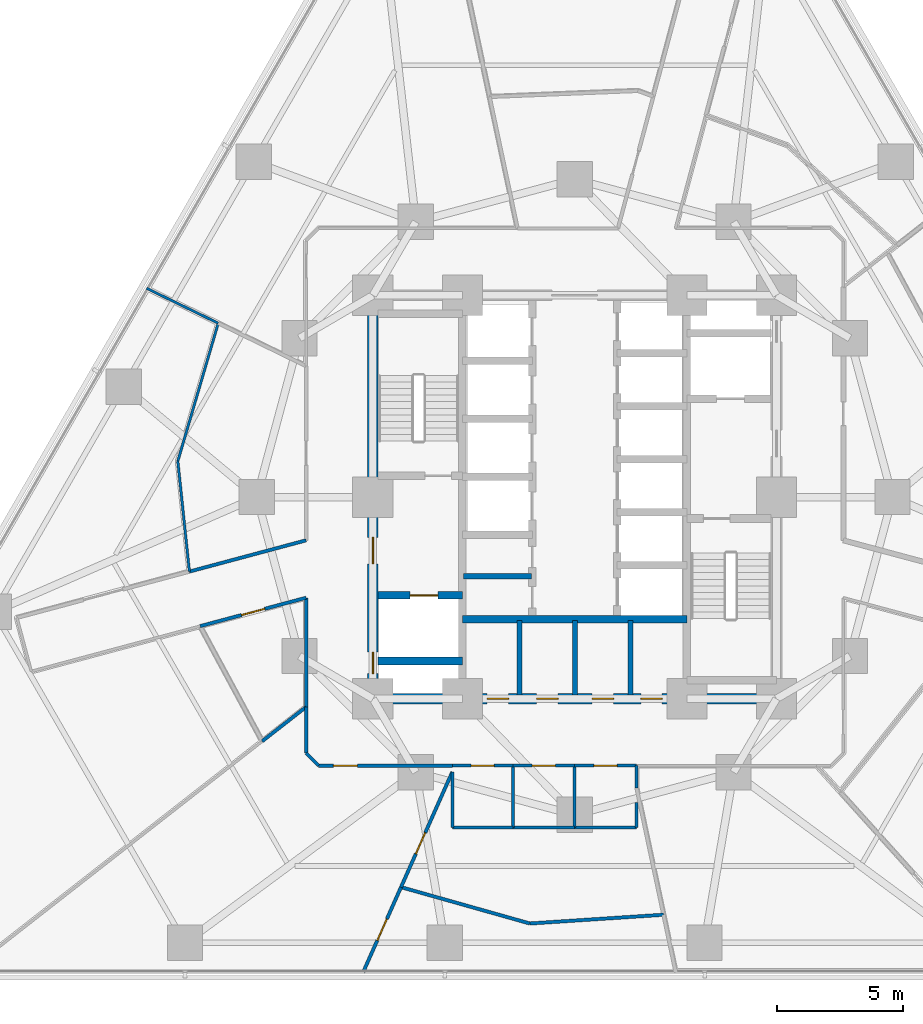
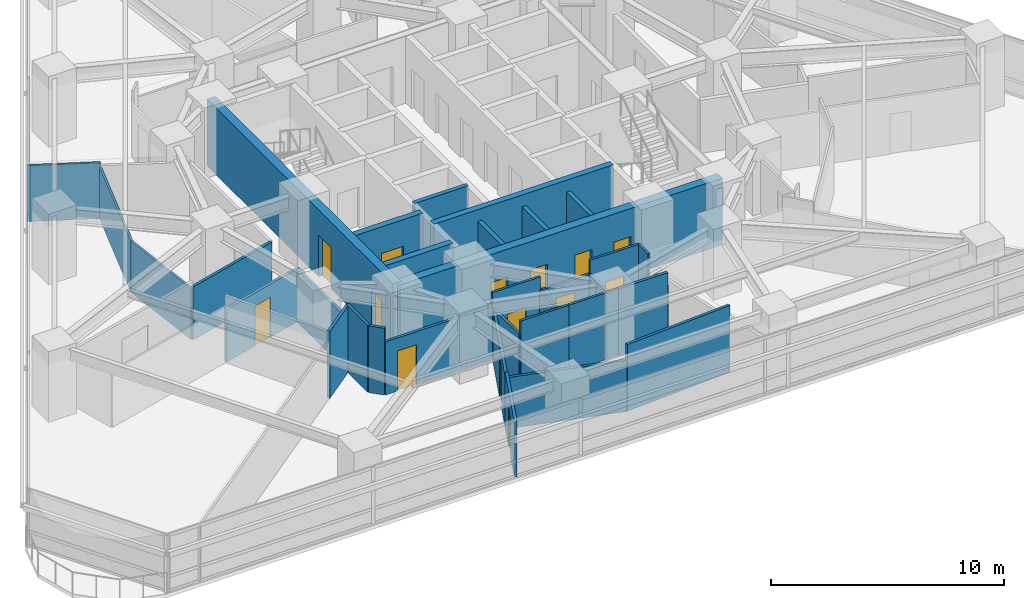
# One storey, part 8 of 15: 34 walls, 14 doors, 14 openings.
"""IFC4 building model written with IfcOpenShell, lengths in metres."""

from ifc_helpers import new_model, si_unit, direction, frame, frame_2d, origin, place, context, subcontext, project, spatial, rectangle, extrude, material, layer, layer_set, type_object, element, fill, save


model = new_model("IFC4")

# Units and contexts
model_context = context("Model", 3, precision=1e-05, world=origin(), true_north=direction((0.0, 1.0)))
body_context = subcontext(model_context, "Body", "Model", "MODEL_VIEW")
ifc_project = project(units=[si_unit("LENGTHUNIT", "METRE"), si_unit("AREAUNIT", "SQUARE_METRE"), si_unit("VOLUMEUNIT", "CUBIC_METRE"), si_unit("PLANEANGLEUNIT", "RADIAN"), si_unit("MASSUNIT", "GRAM", prefix="KILO")], contexts=[model_context])

# Site, building, storey
site_placement = place(None, origin())
site = spatial("IfcSite", under=ifc_project, at=site_placement, CompositionType="ELEMENT")
building_placement = place(site_placement, origin())
building = spatial("IfcBuilding", under=site, at=building_placement, Name="Terralouvre Media Tower", CompositionType="ELEMENT")
storey_placement = place(building_placement, frame((0.0, 0.0, 48.199951171875)))
storey = spatial("IfcBuildingStorey", under=building, at=storey_placement, Name="L11", CompositionType="ELEMENT", Elevation=48.199951171875)

# Wall, opening, door
ifc_material_1 = material(Name="Concrete C50/60", Category="concrete")
ifc_layer_1 = layer(ifc_material_1, 0.300048828125, Name="Core Internal Shaft Wall CW-300")
ifc_layer_set_1 = layer_set([ifc_layer_1], Name="Concrete C50/60")
wall_type_1 = type_object("IfcWallType", Name="Core Internal Shaft Wall CW-300", PredefinedType="SHEAR", material=ifc_layer_set_1)
wall_1_placement = place(storey_placement, frame((-7.7900390625, -3.89990234375, 0.0), z_axis=(0.0, 0.0, 1.0), x_axis=(1.0, 0.0, 0.0)))
wall_1 = element("IfcWall", 1, at=wall_1_placement, inside=storey, type_object=wall_type_1, Name="L11 Core Shaft Wall FF1N", PredefinedType="SHEAR", context=body_context, shape_type="SweptSolid", body=[
    extrude(rectangle(XDim=3.340087890625, YDim=0.300048828125, at=frame_2d((1.669921875, 0.0))), origin(), (0.0, 0.0, 1.0), 3.5),
])
opening_1_placement = place(wall_1_placement, frame((1.27001953125, 0.0, 0.0)))
opening_1 = element("IfcOpeningElement", 2, at=opening_1_placement, cuts=wall_1, Name="Opening LD-FF", PredefinedType="OPENING", context=body_context, shape_type="SweptSolid", body=[
    extrude(rectangle(XDim=1.10009765625, YDim=2.10009765625, at=frame_2d((0.550048828125, 1.050048828125))), frame((0.0, 0.159912109375, 0.0), z_axis=(0.0, -1.0, 0.0), x_axis=(1.0, 0.0, 0.0)), (0.0, 0.0, 1.0), 0.320068359375),
])
ifc_material_2 = material(Name="Stainless steel 316 handrail and balustrade", Category="steel")
door_type_1 = type_object("IfcDoorType", Name="Firefighting Lift Sliding Landing Door LD-FF", OperationType="SLIDING_TO_LEFT", PredefinedType="DOOR", material=ifc_material_2)
door_1_placement = place(opening_1_placement, origin())
door_1 = element("IfcDoor", 3, at=door_1_placement, inside=storey, type_object=door_type_1, Name="L11 Firefighting Lift FFL-01 Landing Door", OperationType="SLIDING_TO_LEFT", OverallHeight=2.10009765625, OverallWidth=1.10009765625, PredefinedType="DOOR", context=body_context, shape_type="SweptSolid", body=[
    extrude(rectangle(XDim=1.10009765625, YDim=2.10009765625, at=frame_2d((0.550048828125, 1.050048828125))), frame((0.0, 0.02490234375, 0.0), z_axis=(0.0, -1.0, 0.0), x_axis=(1.0, 0.0, 0.0)), (0.0, 0.0, 1.0), 0.050048828125),
])
fill(opening_1, door_1)

# Walls
wall_2_placement = place(storey_placement, frame((-7.7900390625, -6.5, 0.0), z_axis=(0.0, 0.0, 1.0), x_axis=(1.0, 0.0, 0.0)))
element("IfcWall", 4, at=wall_2_placement, inside=storey, type_object=wall_type_1, Name="L11 Core Shaft Wall FF1S", PredefinedType="SHEAR", context=body_context, shape_type="SweptSolid", body=[
    extrude(rectangle(XDim=3.340087890625, YDim=0.300048828125, at=frame_2d((1.669921875, 0.0))), origin(), (0.0, 0.0, 1.0), 3.5),
])
wall_3_placement = place(storey_placement, frame((-4.449951171875, -4.85009765625, 0.0), z_axis=(0.0, 0.0, 1.0), x_axis=(1.0, 0.0, 0.0)))
element("IfcWall", 5, at=wall_3_placement, inside=storey, type_object=wall_type_1, Name="L11 Core Shaft Wall CSBN", PredefinedType="SHEAR", context=body_context, shape_type="SweptSolid", body=[
    extrude(rectangle(XDim=8.89990234375, YDim=0.300048828125, at=frame_2d((4.449951171875, 0.0))), origin(), (0.0, 0.0, 1.0), 3.5),
])

# Wall, openings, doors
ifc_material_3 = material(Name="Concrete C60/75", Category="concrete")
ifc_layer_2 = layer(ifc_material_3, 0.419921875, Name="Core Reinforced Concrete Shear Wall CW-420")
ifc_layer_set_2 = layer_set([ifc_layer_2], Name="Concrete C60/75")
wall_type_2 = type_object("IfcWallType", Name="Core Reinforced Concrete Shear Wall CW-420", PredefinedType="SHEAR", material=ifc_layer_set_2)
wall_4_placement = place(storey_placement, frame((-8.0, -8.0, 0.0), z_axis=(0.0, 0.0, 1.0), x_axis=(0.0, 1.0, 0.0)))
wall_4 = element("IfcWall", 6, at=wall_4_placement, inside=storey, type_object=wall_type_2, Name="L11 W Core Shear Wall", PredefinedType="SHEAR", context=body_context, shape_type="SweptSolid", body=[
    extrude(rectangle(XDim=16.0, YDim=0.419921875, at=frame_2d((8.0, 0.0))), origin(), (0.0, 0.0, 1.0), 3.5),
])
opening_2_placement = place(wall_4_placement, frame((1.001708984375, 0.0, 0.0)))
opening_2 = element("IfcOpeningElement", 7, at=opening_2_placement, cuts=wall_4, Name="Opening TD-R1", PredefinedType="OPENING", context=body_context, shape_type="SweptSolid", body=[
    extrude(rectangle(XDim=0.85009765625, YDim=2.02001953125, at=frame_2d((0.425048828125, 1.010009765625))), frame((0.0, 0.219970703125, 0.0), z_axis=(0.0, -1.0, 0.0), x_axis=(1.0, 0.0, 0.0)), (0.0, 0.0, 1.0), 0.43994140625),
])
opening_3_placement = place(wall_4_placement, frame((5.35009765625, 0.0, 0.0)))
opening_3 = element("IfcOpeningElement", 8, at=opening_3_placement, cuts=wall_4, Name="Opening FD-01-105X215", PredefinedType="OPENING", context=body_context, shape_type="SweptSolid", body=[
    extrude(rectangle(XDim=1.050048828125, YDim=2.14990234375, at=frame_2d((0.52490234375, 1.074951171875))), frame((0.0, 0.219970703125, 0.0), z_axis=(0.0, -1.0, 0.0), x_axis=(1.0, 0.0, 0.0)), (0.0, 0.0, 1.0), 0.43994140625),
])
ifc_material_4 = material(Name="Galvanised steel fire-resisting leaf", Category="steel")
door_type_2 = type_object("IfcDoorType", Name="Riser Inspection Access Trapdoor TD-R1", OperationType="NOTDEFINED", PredefinedType="TRAPDOOR", material=ifc_material_4)
door_2_placement = place(opening_2_placement, origin())
door_2 = element("IfcDoor", 9, at=door_2_placement, inside=storey, type_object=door_type_2, Name="L11 Wet Riser Access Trapdoor", OperationType="SINGLE_SWING_LEFT", OverallHeight=2.02001953125, OverallWidth=0.85009765625, PredefinedType="TRAPDOOR", context=body_context, shape_type="SweptSolid", body=[
    extrude(rectangle(XDim=0.85009765625, YDim=2.02001953125, at=frame_2d((0.425048828125, 1.010009765625))), frame((0.0, 0.02490234375, 0.0), z_axis=(0.0, -1.0, 0.0), x_axis=(1.0, 0.0, 0.0)), (0.0, 0.0, 1.0), 0.050048828125),
])
fill(opening_2, door_2)
ifc_material_5 = material(Name="Galvanised steel fire-resisting leaf", Category="steel")
door_type_3 = type_object("IfcDoorType", Name="Stair and Firefighting Lobby Fire Door FD-01 (1050x2150)", OperationType="NOTDEFINED", PredefinedType="DOOR", material=ifc_material_5)
door_3_placement = place(opening_3_placement, origin())
door_3 = element("IfcDoor", 10, at=door_3_placement, inside=storey, type_object=door_type_3, Name="L11 West Firefighting Lobby Entry Door", OperationType="SINGLE_SWING_RIGHT", OverallHeight=2.14990234375, OverallWidth=1.050048828125, PredefinedType="DOOR", context=body_context, shape_type="SweptSolid", body=[
    extrude(rectangle(XDim=1.050048828125, YDim=2.14990234375, at=frame_2d((0.52490234375, 1.074951171875))), frame((0.0, 0.02490234375, 0.0), z_axis=(0.0, -1.0, 0.0), x_axis=(1.0, 0.0, 0.0)), (0.0, 0.0, 1.0), 0.050048828125),
])
fill(opening_3, door_3)

wall_5_placement = place(storey_placement, frame((-8.0, -8.0, 0.0), z_axis=(0.0, 0.0, 1.0), x_axis=(1.0, 0.0, 0.0)))
wall_5 = element("IfcWall", 11, at=wall_5_placement, inside=storey, type_object=wall_type_2, Name="L11 S Core Shear Wall", PredefinedType="SHEAR", context=body_context, shape_type="SweptSolid", body=[
    extrude(rectangle(XDim=16.0, YDim=0.419921875, at=frame_2d((8.0, 0.0))), origin(), (0.0, 0.0, 1.0), 3.5),
])
opening_4_placement = place(wall_5_placement, frame((4.52880859375, 0.0, 0.0)))
opening_4 = element("IfcOpeningElement", 12, at=opening_4_placement, cuts=wall_5, Name="Opening TD-R1", PredefinedType="OPENING", context=body_context, shape_type="SweptSolid", body=[
    extrude(rectangle(XDim=0.85009765625, YDim=2.02001953125, at=frame_2d((0.425048828125, 1.010009765625))), frame((0.0, 0.219970703125, 0.0), z_axis=(0.0, -1.0, 0.0), x_axis=(1.0, 0.0, 0.0)), (0.0, 0.0, 1.0), 0.43994140625),
])
opening_5_placement = place(wall_5_placement, frame((6.489990234375, 0.0, 0.0)))
opening_5 = element("IfcOpeningElement", 13, at=opening_5_placement, cuts=wall_5, Name="Opening TD-R1", PredefinedType="OPENING", context=body_context, shape_type="SweptSolid", body=[
    extrude(rectangle(XDim=0.85009765625, YDim=2.02001953125, at=frame_2d((0.425048828125, 1.010009765625))), frame((0.0, 0.219970703125, 0.0), z_axis=(0.0, -1.0, 0.0), x_axis=(1.0, 0.0, 0.0)), (0.0, 0.0, 1.0), 0.43994140625),
])
opening_6_placement = place(wall_5_placement, frame((8.68994140625, 0.0, 0.0)))
opening_6 = element("IfcOpeningElement", 14, at=opening_6_placement, cuts=wall_5, Name="Opening TD-R1", PredefinedType="OPENING", context=body_context, shape_type="SweptSolid", body=[
    extrude(rectangle(XDim=0.85009765625, YDim=2.02001953125, at=frame_2d((0.425048828125, 1.010009765625))), frame((0.0, 0.219970703125, 0.0), z_axis=(0.0, -1.0, 0.0), x_axis=(1.0, 0.0, 0.0)), (0.0, 0.0, 1.0), 0.43994140625),
])
opening_7_placement = place(wall_5_placement, frame((10.62109375, 0.0, 0.0)))
opening_7 = element("IfcOpeningElement", 15, at=opening_7_placement, cuts=wall_5, Name="Opening TD-R1", PredefinedType="OPENING", context=body_context, shape_type="SweptSolid", body=[
    extrude(rectangle(XDim=0.85009765625, YDim=2.02001953125, at=frame_2d((0.425048828125, 1.010009765625))), frame((0.0, 0.219970703125, 0.0), z_axis=(0.0, -1.0, 0.0), x_axis=(1.0, 0.0, 0.0)), (0.0, 0.0, 1.0), 0.43994140625),
])
door_4_placement = place(opening_4_placement, origin())
door_4 = element("IfcDoor", 16, at=door_4_placement, inside=storey, type_object=door_type_2, Name="L11 Core Battery Plant Door", OperationType="SINGLE_SWING_LEFT", OverallHeight=2.02001953125, OverallWidth=0.85009765625, PredefinedType="TRAPDOOR", context=body_context, shape_type="SweptSolid", body=[
    extrude(rectangle(XDim=0.85009765625, YDim=2.02001953125, at=frame_2d((0.425048828125, 1.010009765625))), frame((0.0, 0.02490234375, 0.0), z_axis=(0.0, -1.0, 0.0), x_axis=(1.0, 0.0, 0.0)), (0.0, 0.0, 1.0), 0.050048828125),
])
fill(opening_4, door_4)
door_5_placement = place(opening_5_placement, origin())
door_5 = element("IfcDoor", 17, at=door_5_placement, inside=storey, type_object=door_type_2, Name="L11 Core IT Patch Plant Door", OperationType="SINGLE_SWING_RIGHT", OverallHeight=2.02001953125, OverallWidth=0.85009765625, PredefinedType="TRAPDOOR", context=body_context, shape_type="SweptSolid", body=[
    extrude(rectangle(XDim=0.85009765625, YDim=2.02001953125, at=frame_2d((0.425048828125, 1.010009765625))), frame((0.0, 0.02490234375, 0.0), z_axis=(0.0, -1.0, 0.0), x_axis=(1.0, 0.0, 0.0)), (0.0, 0.0, 1.0), 0.050048828125),
])
fill(opening_5, door_5)
door_6_placement = place(opening_6_placement, origin())
door_6 = element("IfcDoor", 18, at=door_6_placement, inside=storey, type_object=door_type_2, Name="L11 Core Housekeeping Store Door", OperationType="SINGLE_SWING_LEFT", OverallHeight=2.02001953125, OverallWidth=0.85009765625, PredefinedType="TRAPDOOR", context=body_context, shape_type="SweptSolid", body=[
    extrude(rectangle(XDim=0.85009765625, YDim=2.02001953125, at=frame_2d((0.425048828125, 1.010009765625))), frame((0.0, 0.02490234375, 0.0), z_axis=(0.0, -1.0, 0.0), x_axis=(1.0, 0.0, 0.0)), (0.0, 0.0, 1.0), 0.050048828125),
])
fill(opening_6, door_6)
door_7_placement = place(opening_7_placement, origin())
door_7 = element("IfcDoor", 19, at=door_7_placement, inside=storey, type_object=door_type_2, Name="L11 Core Smoke Damper Plant Door", OperationType="SINGLE_SWING_RIGHT", OverallHeight=2.02001953125, OverallWidth=0.85009765625, PredefinedType="TRAPDOOR", context=body_context, shape_type="SweptSolid", body=[
    extrude(rectangle(XDim=0.85009765625, YDim=2.02001953125, at=frame_2d((0.425048828125, 1.010009765625))), frame((0.0, 0.02490234375, 0.0), z_axis=(0.0, -1.0, 0.0), x_axis=(1.0, 0.0, 0.0)), (0.0, 0.0, 1.0), 0.050048828125),
])
fill(opening_7, door_7)

# Walls
ifc_material_6 = material(Name="Low-iron laminated double glazing with solar-control coating", Category="glass")
ifc_layer_3 = layer(ifc_material_6, 0.10009765625, Name="Demountable Glazed Office Partition PT-GL100")
ifc_layer_set_3 = layer_set([ifc_layer_3], Name="Low-iron laminated double glazing with solar-control coating")
wall_type_3 = type_object("IfcWallType", Name="Demountable Glazed Office Partition PT-GL100", PredefinedType="MOVABLE", material=ifc_layer_set_3)
wall_6_placement = place(storey_placement, frame((-15.27587890625, -2.9541015625, 0.0), z_axis=(0.0, 0.0, 1.0), x_axis=(-0.104560622475, 0.994518514774, 0.0)))
element("IfcWall", 20, at=wall_6_placement, inside=storey, type_object=wall_type_3, Name="L11 Interior Partition 054", PredefinedType="MOVABLE", context=body_context, shape_type="SweptSolid", body=[
    extrude(rectangle(XDim=4.4013671875, YDim=0.10009765625, at=frame_2d((2.20068359375, 0.0))), origin(), (0.0, 0.0, 1.0), 2.68505859375),
])
wall_7_placement = place(storey_placement, frame((-15.736083984375, 1.423095703125, 0.0), z_axis=(0.0, 0.0, 1.0), x_axis=(0.281231672123, 0.959639904649, 0.0)))
element("IfcWall", 21, at=wall_7_placement, inside=storey, type_object=wall_type_3, Name="L11 Interior Partition 055", PredefinedType="MOVABLE", context=body_context, shape_type="SweptSolid", body=[
    extrude(rectangle(XDim=5.699951171875, YDim=0.10009765625, at=frame_2d((2.85009765625, 0.0))), origin(), (0.0, 0.0, 1.0), 2.68505859375),
])
wall_8_placement = place(storey_placement, frame((-14.133056640625, 6.89306640625, 0.0), z_axis=(0.0, 0.0, 1.0), x_axis=(-0.898789989557, 0.438379464245, 0.0)))
element("IfcWall", 22, at=wall_8_placement, inside=storey, type_object=wall_type_3, Name="L11 Interior Partition 057", PredefinedType="MOVABLE", context=body_context, shape_type="SweptSolid", body=[
    extrude(rectangle(XDim=3.158203125, YDim=0.10009765625, at=frame_2d((1.5791015625, 0.0))), origin(), (0.0, 0.0, 1.0), 2.93505859375),
])
ifc_material_7 = material(Name="Fire-rated gypsum board drywall partition")
ifc_layer_4 = layer(ifc_material_7, 0.199951171875, Name="Fire-Rated Shaft and Lobby Partition FW-200")
ifc_layer_set_4 = layer_set([ifc_layer_4], Name="Fire-rated gypsum board drywall partition")
wall_type_4 = type_object("IfcWallType", Name="Fire-Rated Shaft and Lobby Partition FW-200", PredefinedType="SOLIDWALL", material=ifc_layer_set_4)
for number, where, z_axis, x_axis, name in (
    (23, (-2.179931640625, -7.85009765625, 0.0), (0.0, 0.0, 1.0), (0.0, 1.0, 0.0), "L11 Core Service Bay Partition 1"),
    (24, (0.02001953125, -7.85009765625, 0.0), (0.0, 0.0, 1.0), (0.0, 1.0, 0.0), "L11 Core Service Bay Partition 2"),
    (25, (2.219970703125, -7.85009765625, 0.0), (0.0, 0.0, 1.0), (0.0, 1.0, 0.0), "L11 Core Service Bay Partition 3"),
):
    element("IfcWall", number, at=place(storey_placement, frame(where, z_axis=z_axis, x_axis=x_axis)), inside=storey, type_object=wall_type_4, Name=name, PredefinedType="SOLIDWALL", context=body_context, shape_type="SweptSolid", body=[
        extrude(rectangle(XDim=2.9501953125, YDim=0.199951171875, at=frame_2d((1.47509765625, 0.0))), origin(), (0.0, 0.0, 1.0), 2.885009765625),
    ])
wall_9_placement = place(storey_placement, frame((-4.39990234375, -3.139892578125, 0.0), z_axis=(0.0, 0.0, 1.0), x_axis=(1.0, 0.0, 0.0)))
element("IfcWall", 26, at=wall_9_placement, inside=storey, type_object=wall_type_4, Name="L11 Core West Sub-Partition 1", PredefinedType="SOLIDWALL", context=body_context, shape_type="SweptSolid", body=[
    extrude(rectangle(XDim=2.679931640625, YDim=0.199951171875, at=frame_2d((1.33984375, 0.0))), origin(), (0.0, 0.0, 1.0), 3.5),
])

# Wall, opening, door
ifc_material_8 = material(Name="Fire-rated gypsum board drywall partition")
ifc_layer_5 = layer(ifc_material_8, 0.135009765625, Name="Newsroom Acoustic Partition PT-135")
ifc_layer_set_5 = layer_set([ifc_layer_5], Name="Fire-rated gypsum board drywall partition")
wall_type_5 = type_object("IfcWallType", Name="Newsroom Acoustic Partition PT-135", PredefinedType="PARTITIONING", material=ifc_layer_set_5)
wall_10_placement = place(storey_placement, frame((-14.85107421875, -5.117919921875, 0.0), z_axis=(0.0, 0.0, 1.0), x_axis=(0.965909963178, 0.258878239783, 0.0)))
wall_10 = element("IfcWall", 27, at=wall_10_placement, inside=storey, type_object=wall_type_5, Name="L11 Interior Partition 009", PredefinedType="PARTITIONING", context=body_context, shape_type="SweptSolid", body=[
    extrude(rectangle(XDim=4.349365234375, YDim=0.135009765625, at=frame_2d((2.1748046875, 0.0))), origin(), (0.0, 0.0, 1.0), 2.78515625),
])
opening_8_placement = place(wall_10_placement, frame((1.69970703125, 0.0, 0.0)))
opening_8 = element("IfcOpeningElement", 28, at=opening_8_placement, cuts=wall_10, Name="Opening ID-02-95X210", PredefinedType="OPENING", context=body_context, shape_type="SweptSolid", body=[
    extrude(rectangle(XDim=0.949951171875, YDim=2.10009765625, at=frame_2d((0.47509765625, 1.050048828125))), frame((0.0, 0.077392578125, 0.0), z_axis=(0.0, -1.0, 0.0), x_axis=(1.0, 0.0, 0.0)), (0.0, 0.0, 1.0), 0.155029296875),
])
ifc_material_9 = material(Name="Engineered hardwood acoustic timber leaf", Category="wood")
door_type_4 = type_object("IfcDoorType", Name="Office and Meeting Room Door ID-02 (950x2100)", OperationType="NOTDEFINED", PredefinedType="DOOR", material=ifc_material_9)
door_8_placement = place(opening_8_placement, origin())
door_8 = element("IfcDoor", 29, at=door_8_placement, inside=storey, type_object=door_type_4, Name="L11 Media Reference Library 3 Door", OperationType="SINGLE_SWING_RIGHT", OverallHeight=2.10009765625, OverallWidth=0.949951171875, PredefinedType="DOOR", context=body_context, shape_type="SweptSolid", body=[
    extrude(rectangle(XDim=0.949951171875, YDim=2.10009765625, at=frame_2d((0.47509765625, 1.050048828125))), frame((0.0, 0.02490234375, 0.0), z_axis=(0.0, -1.0, 0.0), x_axis=(1.0, 0.0, 0.0)), (0.0, 0.0, 1.0), 0.050048828125),
])
fill(opening_8, door_8)

# Walls
wall_11_placement = place(storey_placement, frame((-10.64990234375, -3.991943359375, 0.0), z_axis=(0.0, 0.0, 1.0), x_axis=(0.0, -1.0, 0.0)))
element("IfcWall", 30, at=wall_11_placement, inside=storey, type_object=wall_type_5, Name="L11 Interior Partition 010", PredefinedType="PARTITIONING", context=body_context, shape_type="SweptSolid", body=[
    extrude(rectangle(XDim=4.3291015625, YDim=0.135009765625, at=frame_2d((2.16455078125, 0.0))), origin(), (0.0, 0.0, 1.0), 2.78515625),
])
wall_12_placement = place(storey_placement, frame((-10.64990234375, -1.715087890625, 0.0), z_axis=(0.0, 0.0, 1.0), x_axis=(-0.965952601708, -0.258719097196, 0.0)))
element("IfcWall", 31, at=wall_12_placement, inside=storey, type_object=wall_type_5, Name="L11 Interior Partition 025", PredefinedType="PARTITIONING", context=body_context, shape_type="SweptSolid", body=[
    extrude(rectangle(XDim=4.7890625, YDim=0.135009765625, at=frame_2d((2.39453125, 0.0))), origin(), (0.0, 0.0, 1.0), 2.78515625),
])
wall_13_placement = place(storey_placement, frame((-10.64990234375, -8.321044921875, 0.0), z_axis=(0.0, 0.0, 1.0), x_axis=(0.0, -1.0, 0.0)))
element("IfcWall", 32, at=wall_13_placement, inside=storey, type_object=wall_type_5, Name="L11 Interior Partition 026", PredefinedType="PARTITIONING", context=body_context, shape_type="SweptSolid", body=[
    extrude(rectangle(XDim=1.828857421875, YDim=0.135009765625, at=frame_2d((0.91455078125, 0.0))), origin(), (0.0, 0.0, 1.0), 3.5),
])
wall_14_placement = place(storey_placement, frame((-10.64990234375, -10.14990234375, 0.0), z_axis=(0.0, 0.0, 1.0), x_axis=(0.707106781187, -0.707106781187, 0.0)))
element("IfcWall", 33, at=wall_14_placement, inside=storey, type_object=wall_type_5, Name="L11 Interior Partition 027", PredefinedType="PARTITIONING", context=body_context, shape_type="SweptSolid", body=[
    extrude(rectangle(XDim=0.70703125, YDim=0.135009765625, at=frame_2d((0.353515625, 0.0))), origin(), (0.0, 0.0, 1.0), 3.5),
])

# Wall, opening, door
wall_15_placement = place(storey_placement, frame((-10.14990234375, -10.64990234375, 0.0), z_axis=(0.0, 0.0, 1.0), x_axis=(1.0, 0.0, 0.0)))
wall_15 = element("IfcWall", 34, at=wall_15_placement, inside=storey, type_object=wall_type_5, Name="L11 Interior Partition 028", PredefinedType="PARTITIONING", context=body_context, shape_type="SweptSolid", body=[
    extrude(rectangle(XDim=5.2998046875, YDim=0.135009765625, at=frame_2d((2.64990234375, 0.0))), origin(), (0.0, 0.0, 1.0), 2.78515625),
])
opening_9_placement = place(wall_15_placement, frame((0.5849609375, 0.0, 0.0)))
opening_9 = element("IfcOpeningElement", 35, at=opening_9_placement, cuts=wall_15, Name="Opening ID-02-95X210", PredefinedType="OPENING", context=body_context, shape_type="SweptSolid", body=[
    extrude(rectangle(XDim=0.949951171875, YDim=2.10009765625, at=frame_2d((0.47509765625, 1.050048828125))), frame((0.0, 0.077392578125, 0.0), z_axis=(0.0, -1.0, 0.0), x_axis=(1.0, 0.0, 0.0)), (0.0, 0.0, 1.0), 0.155029296875),
])
door_9_placement = place(opening_9_placement, origin())
door_9 = element("IfcDoor", 36, at=door_9_placement, inside=storey, type_object=door_type_4, Name="L11 Visiting Fellows Study 10 Door", OperationType="SINGLE_SWING_LEFT", OverallHeight=2.10009765625, OverallWidth=0.949951171875, PredefinedType="DOOR", context=body_context, shape_type="SweptSolid", body=[
    extrude(rectangle(XDim=0.949951171875, YDim=2.10009765625, at=frame_2d((0.47509765625, 1.050048828125))), frame((0.0, 0.02490234375, 0.0), z_axis=(0.0, -1.0, 0.0), x_axis=(1.0, 0.0, 0.0)), (0.0, 0.0, 1.0), 0.050048828125),
])
fill(opening_9, door_9)

# Wall
wall_16_placement = place(storey_placement, frame((-12.39111328125, -9.680908203125, 0.0), z_axis=(0.0, 0.0, 1.0), x_axis=(0.788124883644, 0.615515367624, 0.0)))
element("IfcWall", 37, at=wall_16_placement, inside=storey, type_object=wall_type_5, Name="L11 Interior Partition 044", PredefinedType="PARTITIONING", context=body_context, shape_type="SweptSolid", body=[
    extrude(rectangle(XDim=2.209228515625, YDim=0.135009765625, at=frame_2d((1.1044921875, 0.0))), origin(), (0.0, 0.0, 1.0), 3.5),
])

# Wall, opening, door
wall_17_placement = place(storey_placement, frame((-8.38671875, -18.8369140625, 0.0), z_axis=(0.0, 0.0, 1.0), x_axis=(0.406721597958, 0.913552156012, 0.0)))
wall_17 = element("IfcWall", 38, at=wall_17_placement, inside=storey, type_object=wall_type_5, Name="L11 Interior Partition 059", PredefinedType="PARTITIONING", context=body_context, shape_type="SweptSolid", body=[
    extrude(rectangle(XDim=3.68994140625, YDim=0.135009765625, at=frame_2d((1.844970703125, 0.0))), origin(), (0.0, 0.0, 1.0), 2.93505859375),
])
opening_10_placement = place(wall_17_placement, frame((1.385009765625, 0.0, 0.0)))
opening_10 = element("IfcOpeningElement", 39, at=opening_10_placement, cuts=wall_17, Name="Opening ID-03-92X210", PredefinedType="OPENING", context=body_context, shape_type="SweptSolid", body=[
    extrude(rectangle(XDim=0.919921875, YDim=2.10009765625, at=frame_2d((0.4599609375, 1.050048828125))), frame((0.0, 0.077392578125, 0.0), z_axis=(0.0, -1.0, 0.0), x_axis=(1.0, 0.0, 0.0)), (0.0, 0.0, 1.0), 0.155029296875),
])
ifc_material_10 = material(Name="Engineered hardwood acoustic timber leaf", Category="wood")
door_type_5 = type_object("IfcDoorType", Name="Accessible Restroom and Suite Door ID-03 (920x2100)", OperationType="NOTDEFINED", PredefinedType="DOOR", material=ifc_material_10)
door_10_placement = place(opening_10_placement, origin())
door_10 = element("IfcDoor", 40, at=door_10_placement, inside=storey, type_object=door_type_5, Name="L11 Admissions Reception 11 Door", OperationType="SINGLE_SWING_RIGHT", OverallHeight=2.10009765625, OverallWidth=0.919921875, PredefinedType="DOOR", context=body_context, shape_type="SweptSolid", body=[
    extrude(rectangle(XDim=0.919921875, YDim=2.10009765625, at=frame_2d((0.4599609375, 1.050048828125))), frame((0.0, 0.02490234375, 0.0), z_axis=(0.0, -1.0, 0.0), x_axis=(1.0, 0.0, 0.0)), (0.0, 0.0, 1.0), 0.050048828125),
])
fill(opening_10, door_10)

wall_18_placement = place(storey_placement, frame((-6.885986328125, -15.466064453125, 0.0), z_axis=(0.0, 0.0, 1.0), x_axis=(0.406713095633, 0.913555941276, 0.0)))
wall_18 = element("IfcWall", 41, at=wall_18_placement, inside=storey, type_object=wall_type_5, Name="L11 Interior Partition 060", PredefinedType="PARTITIONING", context=body_context, shape_type="SweptSolid", body=[
    extrude(rectangle(XDim=5.005615234375, YDim=0.135009765625, at=frame_2d((2.5029296875, 0.0))), origin(), (0.0, 0.0, 1.0), 2.68505859375),
])
opening_11_placement = place(wall_18_placement, frame((1.442138671875, 0.0, 0.0)))
opening_11 = element("IfcOpeningElement", 42, at=opening_11_placement, cuts=wall_18, Name="Opening ID-03-92X210", PredefinedType="OPENING", context=body_context, shape_type="SweptSolid", body=[
    extrude(rectangle(XDim=0.919921875, YDim=2.10009765625, at=frame_2d((0.4599609375, 1.050048828125))), frame((0.0, 0.077392578125, 0.0), z_axis=(0.0, -1.0, 0.0), x_axis=(1.0, 0.0, 0.0)), (0.0, 0.0, 1.0), 0.155029296875),
])
door_11_placement = place(opening_11_placement, origin())
door_11 = element("IfcDoor", 43, at=door_11_placement, inside=storey, type_object=door_type_5, Name="L11 Training Equipment Store 12 Door", OperationType="SINGLE_SWING_LEFT", OverallHeight=2.10009765625, OverallWidth=0.919921875, PredefinedType="DOOR", context=body_context, shape_type="SweptSolid", body=[
    extrude(rectangle(XDim=0.919921875, YDim=2.10009765625, at=frame_2d((0.4599609375, 1.050048828125))), frame((0.0, 0.02490234375, 0.0), z_axis=(0.0, -1.0, 0.0), x_axis=(1.0, 0.0, 0.0)), (0.0, 0.0, 1.0), 0.050048828125),
])
fill(opening_11, door_11)

# Walls
wall_19_placement = place(storey_placement, frame((3.52001953125, -16.56005859375, 0.0), z_axis=(0.0, 0.0, 1.0), x_axis=(-0.99786221316, -0.065352915375, 0.0)))
element("IfcWall", 44, at=wall_19_placement, inside=storey, type_object=wall_type_5, Name="L11 Interior Partition 064", PredefinedType="PARTITIONING", context=body_context, shape_type="SweptSolid", body=[
    extrude(rectangle(XDim=5.308349609375, YDim=0.135009765625, at=frame_2d((2.654296875, 0.0))), origin(), (0.0, 0.0, 1.0), 3.5),
])
wall_20_placement = place(storey_placement, frame((-1.777099609375, -16.906982421875, 0.0), z_axis=(0.0, 0.0, 1.0), x_axis=(-0.962452140865, 0.271451425757, 0.0)))
element("IfcWall", 45, at=wall_20_placement, inside=storey, type_object=wall_type_5, Name="L11 Interior Partition 065", PredefinedType="PARTITIONING", context=body_context, shape_type="SweptSolid", body=[
    extrude(rectangle(XDim=5.30810546875, YDim=0.135009765625, at=frame_2d((2.654052734375, 0.0))), origin(), (0.0, 0.0, 1.0), 2.68505859375),
])
wall_21_placement = place(storey_placement, frame((2.449951171875, -12.103271484375, 0.0), z_axis=(0.0, 0.0, 1.0), x_axis=(0.0, -1.0, 0.0)))
element("IfcWall", 46, at=wall_21_placement, inside=storey, type_object=wall_type_5, Name="L11 Interior Partition 069", PredefinedType="PARTITIONING", context=body_context, shape_type="SweptSolid", body=[
    extrude(rectangle(XDim=0.996826171875, YDim=0.135009765625, at=frame_2d((0.49853515625, 0.0))), origin(), (0.0, 0.0, 1.0), 2.78515625),
])
wall_22_placement = place(storey_placement, frame((2.449951171875, -13.10009765625, 0.0), z_axis=(0.0, 0.0, 1.0), x_axis=(-1.0, 0.0, 0.0)))
element("IfcWall", 47, at=wall_22_placement, inside=storey, type_object=wall_type_5, Name="L11 Interior Partition 070", PredefinedType="PARTITIONING", context=body_context, shape_type="SweptSolid", body=[
    extrude(rectangle(XDim=2.449951171875, YDim=0.135009765625, at=frame_2d((1.22509765625, 0.0))), origin(), (0.0, 0.0, 1.0), 3.5),
])

# Wall, opening, door
ifc_material_11 = material(Name="Fire-rated gypsum board drywall partition")
ifc_layer_6 = layer(ifc_material_11, 0.114990234375, Name="Restroom and Pantry Partition PT-115")
ifc_layer_set_6 = layer_set([ifc_layer_6], Name="Fire-rated gypsum board drywall partition")
wall_type_6 = type_object("IfcWallType", Name="Restroom and Pantry Partition PT-115", PredefinedType="PARTITIONING", material=ifc_layer_set_6)
wall_23_placement = place(storey_placement, frame((-4.85009765625, -10.64990234375, 0.0), z_axis=(0.0, 0.0, 1.0), x_axis=(1.0, 0.0, 0.0)))
wall_23 = element("IfcWall", 48, at=wall_23_placement, inside=storey, type_object=wall_type_6, Name="L11 Interior Partition 029", PredefinedType="PARTITIONING", context=body_context, shape_type="SweptSolid", body=[
    extrude(rectangle(XDim=2.400146484375, YDim=0.114990234375, at=frame_2d((1.2001953125, 0.0))), origin(), (0.0, 0.0, 1.0), 3.5),
])
opening_12_placement = place(wall_23_placement, frame((0.739990234375, 0.0, 0.0)))
opening_12 = element("IfcOpeningElement", 49, at=opening_12_placement, cuts=wall_23, Name="Opening ID-03-92X210", PredefinedType="OPENING", context=body_context, shape_type="SweptSolid", body=[
    extrude(rectangle(XDim=0.919921875, YDim=2.10009765625, at=frame_2d((0.4599609375, 1.050048828125))), frame((0.0, 0.0673828125, 0.0), z_axis=(0.0, -1.0, 0.0), x_axis=(1.0, 0.0, 0.0)), (0.0, 0.0, 1.0), 0.135009765625),
])
door_12_placement = place(opening_12_placement, origin())
door_12 = element("IfcDoor", 50, at=door_12_placement, inside=storey, type_object=door_type_5, Name="L11 Male Restroom WC Door", OperationType="SINGLE_SWING_RIGHT", OverallHeight=2.10009765625, OverallWidth=0.919921875, PredefinedType="DOOR", context=body_context, shape_type="SweptSolid", body=[
    extrude(rectangle(XDim=0.919921875, YDim=2.10009765625, at=frame_2d((0.4599609375, 1.050048828125))), frame((0.0, 0.02490234375, 0.0), z_axis=(0.0, -1.0, 0.0), x_axis=(1.0, 0.0, 0.0)), (0.0, 0.0, 1.0), 0.050048828125),
])
fill(opening_12, door_12)

wall_24_placement = place(storey_placement, frame((-2.449951171875, -10.64990234375, 0.0), z_axis=(0.0, 0.0, 1.0), x_axis=(1.0, 0.0, 0.0)))
wall_24 = element("IfcWall", 51, at=wall_24_placement, inside=storey, type_object=wall_type_6, Name="L11 Interior Partition 030", PredefinedType="PARTITIONING", context=body_context, shape_type="SweptSolid", body=[
    extrude(rectangle(XDim=2.449951171875, YDim=0.114990234375, at=frame_2d((1.22509765625, 0.0))), origin(), (0.0, 0.0, 1.0), 2.78515625),
])
opening_13_placement = place(wall_24_placement, frame((0.764892578125, 0.0, 0.0)))
opening_13 = element("IfcOpeningElement", 52, at=opening_13_placement, cuts=wall_24, Name="Opening ID-03-92X210", PredefinedType="OPENING", context=body_context, shape_type="SweptSolid", body=[
    extrude(rectangle(XDim=0.919921875, YDim=2.10009765625, at=frame_2d((0.4599609375, 1.050048828125))), frame((0.0, 0.0673828125, 0.0), z_axis=(0.0, -1.0, 0.0), x_axis=(1.0, 0.0, 0.0)), (0.0, 0.0, 1.0), 0.135009765625),
])
door_13_placement = place(opening_13_placement, origin())
door_13 = element("IfcDoor", 53, at=door_13_placement, inside=storey, type_object=door_type_5, Name="L11 Female Restroom WC Door", OperationType="SINGLE_SWING_LEFT", OverallHeight=2.10009765625, OverallWidth=0.919921875, PredefinedType="DOOR", context=body_context, shape_type="SweptSolid", body=[
    extrude(rectangle(XDim=0.919921875, YDim=2.10009765625, at=frame_2d((0.4599609375, 1.050048828125))), frame((0.0, 0.02490234375, 0.0), z_axis=(0.0, -1.0, 0.0), x_axis=(1.0, 0.0, 0.0)), (0.0, 0.0, 1.0), 0.050048828125),
])
fill(opening_13, door_13)

wall_25_placement = place(storey_placement, frame((0.0, -10.64990234375, 0.0), z_axis=(0.0, 0.0, 1.0), x_axis=(1.0, 0.0, 0.0)))
wall_25 = element("IfcWall", 54, at=wall_25_placement, inside=storey, type_object=wall_type_6, Name="L11 Interior Partition 031", PredefinedType="PARTITIONING", context=body_context, shape_type="SweptSolid", body=[
    extrude(rectangle(XDim=2.449951171875, YDim=0.114990234375, at=frame_2d((1.22509765625, 0.0))), origin(), (0.0, 0.0, 1.0), 3.5),
])
opening_14_placement = place(wall_25_placement, frame((0.764892578125, 0.0, 0.0)))
opening_14 = element("IfcOpeningElement", 55, at=opening_14_placement, cuts=wall_25, Name="Opening ID-03-92X210", PredefinedType="OPENING", context=body_context, shape_type="SweptSolid", body=[
    extrude(rectangle(XDim=0.919921875, YDim=2.10009765625, at=frame_2d((0.4599609375, 1.050048828125))), frame((0.0, 0.0673828125, 0.0), z_axis=(0.0, -1.0, 0.0), x_axis=(1.0, 0.0, 0.0)), (0.0, 0.0, 1.0), 0.135009765625),
])
door_14_placement = place(opening_14_placement, origin())
door_14 = element("IfcDoor", 56, at=door_14_placement, inside=storey, type_object=door_type_5, Name="L11 Accessible Unisex WC Door", OperationType="SINGLE_SWING_RIGHT", OverallHeight=2.10009765625, OverallWidth=0.919921875, PredefinedType="DOOR", context=body_context, shape_type="SweptSolid", body=[
    extrude(rectangle(XDim=0.919921875, YDim=2.10009765625, at=frame_2d((0.4599609375, 1.050048828125))), frame((0.0, 0.02490234375, 0.0), z_axis=(0.0, -1.0, 0.0), x_axis=(1.0, 0.0, 0.0)), (0.0, 0.0, 1.0), 0.050048828125),
])
fill(opening_14, door_14)

# Walls
wall_26_placement = place(storey_placement, frame((-2.449951171875, -13.10009765625, 0.0), z_axis=(0.0, 0.0, 1.0), x_axis=(0.0, 1.0, 0.0)))
element("IfcWall", 57, at=wall_26_placement, inside=storey, type_object=wall_type_6, Name="L11 Interior Partition 061", PredefinedType="PARTITIONING", context=body_context, shape_type="SweptSolid", body=[
    extrude(rectangle(XDim=2.4501953125, YDim=0.114990234375, at=frame_2d((1.22509765625, 0.0))), origin(), (0.0, 0.0, 1.0), 2.78515625),
])
wall_27_placement = place(storey_placement, frame((-4.85009765625, -10.89306640625, 0.0), z_axis=(0.0, 0.0, 1.0), x_axis=(0.0, -1.0, 0.0)))
element("IfcWall", 58, at=wall_27_placement, inside=storey, type_object=wall_type_6, Name="L11 Interior Partition 062", PredefinedType="PARTITIONING", context=body_context, shape_type="SweptSolid", body=[
    extrude(rectangle(XDim=2.20703125, YDim=0.114990234375, at=frame_2d((1.103515625, 0.0))), origin(), (0.0, 0.0, 1.0), 2.78515625),
])
wall_28_placement = place(storey_placement, frame((-4.85009765625, -13.10009765625, 0.0), z_axis=(0.0, 0.0, 1.0), x_axis=(1.0, 0.0, 0.0)))
element("IfcWall", 59, at=wall_28_placement, inside=storey, type_object=wall_type_6, Name="L11 Interior Partition 063", PredefinedType="PARTITIONING", context=body_context, shape_type="SweptSolid", body=[
    extrude(rectangle(XDim=2.400146484375, YDim=0.114990234375, at=frame_2d((1.2001953125, 0.0))), origin(), (0.0, 0.0, 1.0), 3.5),
])
wall_29_placement = place(storey_placement, frame((-2.449951171875, -13.10009765625, 0.0), z_axis=(0.0, 0.0, 1.0), x_axis=(1.0, 0.0, 0.0)))
element("IfcWall", 60, at=wall_29_placement, inside=storey, type_object=wall_type_6, Name="L11 Interior Partition 067", PredefinedType="PARTITIONING", context=body_context, shape_type="SweptSolid", body=[
    extrude(rectangle(XDim=2.449951171875, YDim=0.114990234375, at=frame_2d((1.22509765625, 0.0))), origin(), (0.0, 0.0, 1.0), 3.5),
])
wall_30_placement = place(storey_placement, frame((0.0, -13.10009765625, 0.0), z_axis=(0.0, 0.0, 1.0), x_axis=(0.0, 1.0, 0.0)))
element("IfcWall", 61, at=wall_30_placement, inside=storey, type_object=wall_type_6, Name="L11 Interior Partition 068", PredefinedType="PARTITIONING", context=body_context, shape_type="SweptSolid", body=[
    extrude(rectangle(XDim=2.4501953125, YDim=0.114990234375, at=frame_2d((1.22509765625, 0.0))), origin(), (0.0, 0.0, 1.0), 2.78515625),
])
wall_31_placement = place(storey_placement, frame((2.449951171875, -11.52587890625, 0.0), z_axis=(0.0, 0.0, 1.0), x_axis=(0.0, 1.0, 0.0)))
element("IfcWall", 62, at=wall_31_placement, inside=storey, type_object=wall_type_6, Name="L11 Interior Partition 072", PredefinedType="PARTITIONING", context=body_context, shape_type="SweptSolid", body=[
    extrude(rectangle(XDim=0.8759765625, YDim=0.114990234375, at=frame_2d((0.43798828125, 0.0))), origin(), (0.0, 0.0, 1.0), 3.5),
])

save(model, "model.ifc")
